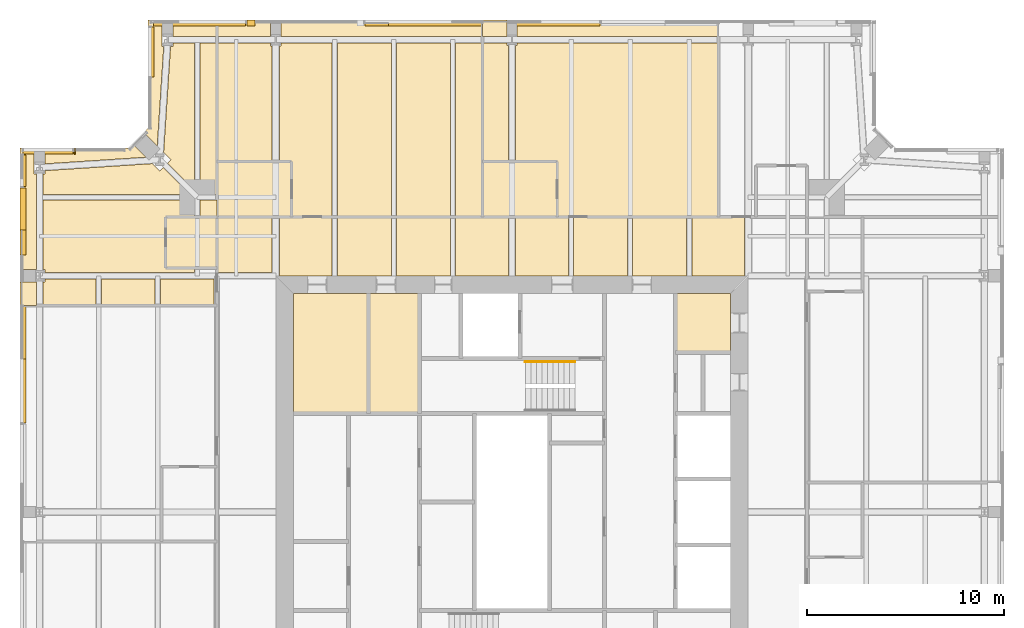
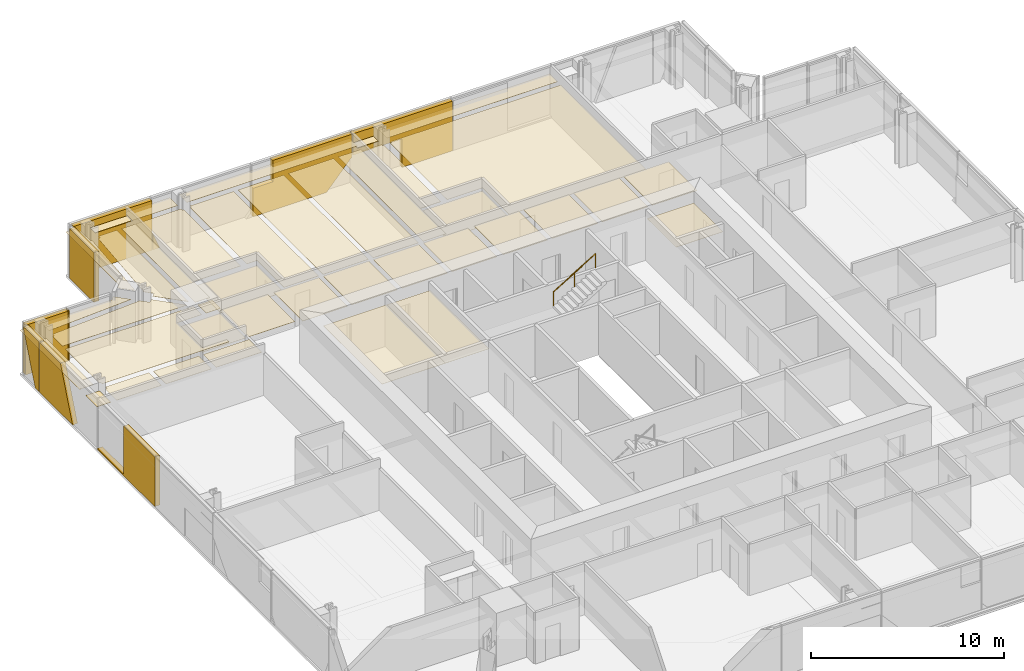
# One storey, part 18 of 20: 49 coverings, 1 railing.
"""IFC4 building model written with IfcOpenShell, lengths in metres."""

import ifcopenshell
import ifcopenshell.guid

model = None  # the IFC model being written
_history = None  # IfcOwnerHistory: only IFC2X3 demands one
_inside = {}  # id of a spatial element -> (the spatial element, [elements in it])
_under = {}  # id of a project, library or spatial element -> (it, [spatial elements below it])
_declared = {}  # id of a project -> (the project, [libraries it declares])
_typed = {}  # id of a type object -> (the type object, [elements of that type])
_made_of = {}  # id of a material, layer set ... -> (it, [elements and type objects made of it])


def new_model(schema):
    """Start an empty IFC model of exactly this schema.

    Asked for "IFC4X3", IfcOpenShell would pick the latest addendum, in which some entities
    have other attributes; the version numbers below select the first issue.
    IFC2X3 requires an IfcOwnerHistory on every rooted entity: one is made here for all.
    """
    global model, _history
    if schema == "IFC4X3":
        model = ifcopenshell.file(schema_version=(4, 3, 0, 0))
    else:
        model = ifcopenshell.file(schema=schema)
    _inside.clear()
    _under.clear()
    _declared.clear()
    _typed.clear()
    _made_of.clear()
    _history = None
    if model.schema == "IFC2X3":
        org = make("IfcOrganization", Name="unknown")
        user = make(
            "IfcPersonAndOrganization",
            ThePerson=make("IfcPerson", FamilyName="unknown"),
            TheOrganization=org,
        )
        app = make(
            "IfcApplication",
            ApplicationDeveloper=org,
            Version="unknown",
            ApplicationFullName="unknown",
            ApplicationIdentifier="unknown",
        )
        _history = make(
            "IfcOwnerHistory",
            OwningUser=user,
            OwningApplication=app,
            ChangeAction="ADDED",
            CreationDate=0,
        )
    return model


def make(cls, **values):
    """One entity of the class cls with the attributes given. An attribute that is None is left unset."""
    return model.create_entity(
        cls, **{name: value for name, value in values.items() if value is not None}
    )


def rooted(cls, **values):
    """An entity with a GlobalId (a new one), such as an element, a storey or a relation."""
    return make(cls, GlobalId=ifcopenshell.guid.new(), OwnerHistory=_history, **values)


def si_unit(unit_type, name, prefix=None):
    """IfcSIUnit, for example si_unit("LENGTHUNIT", "METRE", prefix="MILLI")."""
    return make("IfcSIUnit", UnitType=unit_type, Prefix=prefix, Name=name)


def assignment(units):
    """IfcUnitAssignment: the units of a project."""
    return None if units is None else make("IfcUnitAssignment", Units=units)


def point(xyz):
    """IfcCartesianPoint."""
    return None if xyz is None else make("IfcCartesianPoint", Coordinates=xyz)


def direction(xyz):
    """IfcDirection."""
    return None if xyz is None else make("IfcDirection", DirectionRatios=xyz)


def frame(location, z_axis=None, x_axis=None):
    """IfcAxis2Placement3D, a coordinate frame: its origin and axes. An axis left out is left unset."""
    return make(
        "IfcAxis2Placement3D",
        Location=point(location),
        Axis=direction(z_axis),
        RefDirection=direction(x_axis),
    )


def frame_2d(location, x_axis=None):
    """IfcAxis2Placement2D, a coordinate frame in the plane: its origin and x axis."""
    return make(
        "IfcAxis2Placement2D", Location=point(location), RefDirection=direction(x_axis)
    )


def origin():
    """The frame at (0, 0, 0) with its axes left unset."""
    return frame((0.0, 0.0, 0.0))


def origin_2d():
    """The frame at (0, 0) in the plane with its x axis left unset."""
    return frame_2d((0.0, 0.0))


def place(relative_to, where):
    """IfcLocalPlacement: puts the frame where relative to a parent placement (None: the world)."""
    return make(
        "IfcLocalPlacement", PlacementRelTo=relative_to, RelativePlacement=where
    )


def context(
    kind, dimensions, precision=None, world=None, true_north=None, identifier=None
):
    """IfcGeometricRepresentationContext, for example the 3D "Model" context."""
    return make(
        "IfcGeometricRepresentationContext",
        ContextIdentifier=identifier,
        ContextType=kind,
        CoordinateSpaceDimension=dimensions,
        Precision=precision,
        WorldCoordinateSystem=world,
        TrueNorth=true_north,
    )


def subcontext(parent, identifier, kind, view, scale=None):
    """IfcGeometricRepresentationSubContext, for example "Body" below "Model"."""
    return make(
        "IfcGeometricRepresentationSubContext",
        ContextIdentifier=identifier,
        ContextType=kind,
        ParentContext=parent,
        TargetScale=scale,
        TargetView=view,
    )


def project(units=None, contexts=None):
    """IfcProject with its units and contexts."""
    return rooted(
        "IfcProject",
        Name="project",
        RepresentationContexts=contexts,
        UnitsInContext=assignment(units),
    )


def spatial(cls, under=None, at=None, **own):
    """A site, building, storey or space (cls), placed at a placement, below another one or the project."""
    s = rooted(cls, ObjectPlacement=at, **own)
    if under is not None:
        _under.setdefault(under.id(), (under, []))[1].append(s)
    return s


def polyline(points):
    """IfcPolyline through the points."""
    return make("IfcPolyline", Points=[point(p) for p in points])


def profile(cls, at=None, kind="AREA", **sizes):
    """A parametric profile (cls). Its sizes go by their IFC names, for example OverallWidth=200.0."""
    return make(cls, ProfileType=kind, Position=at, **sizes)


def circle(**sizes):
    """IfcCircleProfileDef."""
    return profile("IfcCircleProfileDef", **sizes)


def outline(outer, holes=None, kind="AREA"):
    """IfcArbitraryClosedProfileDef: a profile drawn as a closed curve; with holes, ...WithVoids."""
    if holes is None:
        return make("IfcArbitraryClosedProfileDef", ProfileType=kind, OuterCurve=outer)
    return make(
        "IfcArbitraryProfileDefWithVoids",
        ProfileType=kind,
        OuterCurve=outer,
        InnerCurves=holes,
    )


def extrude(swept, where, along, depth):
    """IfcExtrudedAreaSolid: the profile swept, set in the frame where, extruded along a direction by depth."""
    return make(
        "IfcExtrudedAreaSolid",
        SweptArea=swept,
        Position=where,
        ExtrudedDirection=direction(along),
        Depth=depth,
    )


def shape(context_of_items, identifier, shape_type, items):
    """IfcShapeRepresentation: the items that make up one representation, for example the "Body"."""
    return make(
        "IfcShapeRepresentation",
        ContextOfItems=context_of_items,
        RepresentationIdentifier=identifier,
        RepresentationType=shape_type,
        Items=items,
    )


def material(Name=None, Category=None):
    """IfcMaterial."""
    return make("IfcMaterial", Name=Name, Category=Category)


def layer(
    of_material, thickness, ventilated=None, Name=None, Category=None, Priority=None
):
    """IfcMaterialLayer: one layer of a wall or slab, of a material (None: an air gap)."""
    return make(
        "IfcMaterialLayer",
        Material=of_material,
        LayerThickness=thickness,
        IsVentilated=ventilated,
        Name=Name,
        Category=Category,
        Priority=Priority,
    )


def layer_set(layers, Name=None):
    """IfcMaterialLayerSet."""
    return make("IfcMaterialLayerSet", MaterialLayers=layers, LayerSetName=Name)


def made_of(thing, what):
    """Note that an element or type object is made of a material, layer set ...; save() writes the relation."""
    if what is not None:
        _made_of.setdefault(what.id(), (what, []))[1].append(thing)
    return thing


def type_object(cls, material=None, **own):
    """A type object (cls), such as IfcWallType, which elements share."""
    return made_of(rooted(cls, **own), material)


def element(
    cls,
    number,
    at=None,
    inside=None,
    cuts=None,
    type_object=None,
    material=None,
    context=None,
    identifier="Body",
    shape_type=None,
    held_by="IfcProductDefinitionShape",
    body=None,
    shapes=None,
    **own,
):
    """One element of the class cls, such as IfcWall. Its Tag is "e" and its number.

    at: its placement. inside: the storey or other place that contains it. cuts: it is an
    opening in that element (IfcRelVoidsElement). A single representation is given by context,
    identifier, shape_type and body (its items); several are given by shapes. held_by: the class
    of the entity that holds the representations. save() writes the other relations.
    """
    e = rooted(cls, Tag="e%d" % number, ObjectPlacement=at, **own)
    if body is not None:
        shapes = [shape(context, identifier, shape_type, body)]
    if shapes is not None:
        e.Representation = make(held_by, Representations=shapes)
    if inside is not None:
        _inside.setdefault(inside.id(), (inside, []))[1].append(e)
    if cuts is not None:
        rooted(
            "IfcRelVoidsElement", RelatingBuildingElement=cuts, RelatedOpeningElement=e
        )
    if type_object is not None:
        _typed.setdefault(type_object.id(), (type_object, []))[1].append(e)
    return made_of(e, material)


def aggregate(whole, parts):
    """IfcRelAggregates: a whole, such as a stair, and the parts it consists of."""
    return rooted("IfcRelAggregates", RelatingObject=whole, RelatedObjects=parts)


def save(model, path):
    """Write the relations noted so far, then the file.

    IfcRelAggregates (storeys below a building ...), IfcRelContainedInSpatialStructure (elements
    in a storey), IfcRelDefinesByType, IfcRelAssociatesMaterial and IfcRelDeclares: one each for
    every whole, place, type object, material and project.
    """
    for whole, parts in _under.values():
        aggregate(whole, parts)
    for where, things in _inside.values():
        rooted(
            "IfcRelContainedInSpatialStructure",
            RelatedElements=things,
            RelatingStructure=where,
        )
    for kind, things in _typed.values():
        rooted("IfcRelDefinesByType", RelatedObjects=things, RelatingType=kind)
    for what, things in _made_of.values():
        rooted("IfcRelAssociatesMaterial", RelatedObjects=things, RelatingMaterial=what)
    for by, libraries in _declared.values():
        rooted("IfcRelDeclares", RelatingContext=by, RelatedDefinitions=libraries)
    model.write(path)


model = new_model("IFC4")

# Units and contexts
model_context = context("Model", 3, precision=1e-05, world=origin(), true_north=direction((0.0, 1.0)))
body_context = subcontext(model_context, "Body", "Model", "MODEL_VIEW")
ifc_project = project(units=[si_unit("LENGTHUNIT", "METRE"), si_unit("AREAUNIT", "SQUARE_METRE"), si_unit("VOLUMEUNIT", "CUBIC_METRE"), si_unit("PLANEANGLEUNIT", "RADIAN"), si_unit("MASSUNIT", "GRAM", prefix="KILO")], contexts=[model_context])

# Site, building, storey
site_placement = place(None, origin())
site = spatial("IfcSite", under=ifc_project, at=site_placement, CompositionType="ELEMENT")
building_placement = place(site_placement, origin())
building = spatial("IfcBuilding", under=site, at=building_placement, Name="Fenwick Lantern Interchange", CompositionType="ELEMENT")
storey_placement = place(building_placement, frame((0.0, 0.0, 276.39990234375)))
storey = spatial("IfcBuildingStorey", under=building, at=storey_placement, Name="L66", CompositionType="ELEMENT", Elevation=276.39990234375)

# Coverings
ifc_material_1 = material(Name="Granite cladding, warm grey flamed finish, on aluminium carrier frame", Category="masonry")
ifc_layer_1 = layer(ifc_material_1, 0.300048828125)
ifc_layer_set_1 = layer_set([ifc_layer_1], Name="BRACE CASING PANEL 300")
covering_type_1 = type_object("IfcCoveringType", Name="BRACE CASING PANEL 300", PredefinedType="CLADDING", material=ifc_layer_set_1)
covering_1_placement = place(storey_placement, frame((43.39990234375, 49.89990234375, 0.0), z_axis=(0.0, 0.0, 1.0), x_axis=(-1.0, 0.0, 0.0)))
element("IfcCovering", 1, at=covering_1_placement, inside=storey, type_object=covering_type_1, Name="Brace casing 09 bay 03a", PredefinedType="CLADDING", context=body_context, shape_type="SweptSolid", body=[
    extrude(outline(polyline([(13.929931640625, 0.0), (16.93017578125, 0.0), (16.93017578125, 1.8076171875), (19.8701171875, 1.8076171875), (19.8701171875, 3.150146484375), (13.929931640625, 3.150146484375), (13.929931640625, 0.0)])), frame((0.0, 0.2099609375, 0.0), z_axis=(0.0, -1.0, 0.0), x_axis=(1.0, 0.0, 0.0)), (0.0, 0.0, 1.0), 0.300048828125),
])
covering_2_placement = place(storey_placement, frame((43.39990234375, 49.89990234375, 0.0), z_axis=(0.0, 0.0, 1.0), x_axis=(-1.0, 0.0, 0.0)))
element("IfcCovering", 2, at=covering_2_placement, inside=storey, type_object=covering_type_1, Name="Brace casing 09 bay 04a", PredefinedType="CLADDING", context=body_context, shape_type="SweptSolid", body=[
    extrude(outline(polyline([(21.46484375, 0.0), (25.8701171875, 0.0), (25.8701171875, 1.801513671875), (24.67626953125, 1.801513671875), (24.67626953125, 3.150146484375), (19.929931640625, 3.150146484375), (19.929931640625, 1.739501953125), (21.46484375, 0.0)])), frame((0.0, 0.2099609375, 0.0), z_axis=(0.0, -1.0, 0.0), x_axis=(1.0, 0.0, 0.0)), (0.0, 0.0, 1.0), 0.300048828125),
])
covering_3_placement = place(storey_placement, frame((43.39990234375, 49.89990234375, 0.0), z_axis=(0.0, 0.0, 1.0), x_axis=(-1.0, 0.0, 0.0)))
element("IfcCovering", 3, at=covering_3_placement, inside=storey, type_object=covering_type_1, Name="Brace casing 09 bay 05b", PredefinedType="CLADDING", context=body_context, shape_type="SweptSolid", body=[
    extrude(outline(polyline([(31.453369140625, 0.0), (31.8701171875, 0.0), (31.8701171875, 1.030029296875), (31.453369140625, 0.0)])), frame((0.0, 0.2099609375, 0.0), z_axis=(0.0, -1.0, 0.0), x_axis=(1.0, 0.0, 0.0)), (0.0, 0.0, 1.0), 0.300048828125),
])
covering_4_placement = place(storey_placement, frame((43.39990234375, 49.89990234375, 0.0), z_axis=(0.0, 0.0, 1.0), x_axis=(-1.0, 0.0, 0.0)))
element("IfcCovering", 4, at=covering_4_placement, inside=storey, type_object=covering_type_1, Name="Brace casing 09 bay 06a", PredefinedType="CLADDING", context=body_context, shape_type="SweptSolid", body=[
    extrude(outline(polyline([(31.929931640625, 0.0), (35.336669921875, 0.0), (36.610595703125, 3.150146484375), (31.929931640625, 3.150146484375), (31.929931640625, 0.0)])), frame((0.0, 0.2099609375, 0.0), z_axis=(0.0, -1.0, 0.0), x_axis=(1.0, 0.0, 0.0)), (0.0, 0.0, 1.0), 0.300048828125),
])
covering_5_placement = place(storey_placement, frame((6.60009765625, 49.89990234375, 0.0), z_axis=(0.0, 0.0, 1.0), x_axis=(0.0, -1.0, 0.0)))
element("IfcCovering", 5, at=covering_5_placement, inside=storey, type_object=covering_type_1, Name="Brace casing 10 bay 00a", PredefinedType="CLADDING", context=body_context, shape_type="SweptSolid", body=[
    extrude(outline(polyline([(0.260009765625, 0.0), (2.790771484375, 0.0), (2.790771484375, 3.150146484375), (0.260009765625, 3.150146484375), (0.260009765625, 0.0)])), frame((0.0, 0.2099609375, 0.0), z_axis=(0.0, -1.0, 0.0), x_axis=(1.0, 0.0, 0.0)), (0.0, 0.0, 1.0), 0.300048828125),
])
covering_6_placement = place(storey_placement, frame((5.54150390625, 43.39990234375, 0.0), z_axis=(0.0, 0.0, 1.0), x_axis=(-1.0, 0.0, 0.0)))
element("IfcCovering", 6, at=covering_6_placement, inside=storey, type_object=covering_type_1, Name="Brace casing 12 bay 00a", PredefinedType="CLADDING", context=body_context, shape_type="SweptSolid", body=[
    extrude(outline(polyline([(2.741455078125, 0.0), (2.790771484375, 0.0), (2.790771484375, 3.150146484375), (2.741455078125, 3.150146484375), (2.741455078125, 0.0)])), frame((0.0, 0.2099609375, 0.0), z_axis=(0.0, -1.0, 0.0), x_axis=(1.0, 0.0, 0.0)), (0.0, 0.0, 1.0), 0.300048828125),
])
covering_7_placement = place(storey_placement, frame((5.54150390625, 43.39990234375, 0.0), z_axis=(0.0, 0.0, 1.0), x_axis=(-1.0, 0.0, 0.0)))
element("IfcCovering", 7, at=covering_7_placement, inside=storey, type_object=covering_type_1, Name="Brace casing 12 bay 01a", PredefinedType="CLADDING", context=body_context, shape_type="SweptSolid", body=[
    extrude(outline(polyline([(2.850830078125, 0.0), (5.38134765625, 0.0), (5.38134765625, 3.150146484375), (2.850830078125, 3.150146484375), (2.850830078125, 0.0)])), frame((0.0, 0.2099609375, 0.0), z_axis=(0.0, -1.0, 0.0), x_axis=(1.0, 0.0, 0.0)), (0.0, 0.0, 1.0), 0.300048828125),
])
covering_8_placement = place(storey_placement, frame((0.10009765625, 43.39990234375, 0.0), z_axis=(0.0, 0.0, 1.0), x_axis=(0.0, -1.0, 0.0)))
element("IfcCovering", 8, at=covering_8_placement, inside=storey, type_object=covering_type_1, Name="Brace casing 13 bay 00a", PredefinedType="CLADDING", context=body_context, shape_type="SweptSolid", body=[
    extrude(outline(polyline([(1.46337890625, 0.0), (1.8701171875, 0.0), (1.8701171875, 3.150146484375), (0.260009765625, 3.150146484375), (0.260009765625, 2.9755859375), (1.46337890625, 0.0)])), frame((0.0, 0.2099609375, 0.0), z_axis=(0.0, -1.0, 0.0), x_axis=(1.0, 0.0, 0.0)), (0.0, 0.0, 1.0), 0.300048828125),
])
covering_9_placement = place(storey_placement, frame((0.10009765625, 43.39990234375, 0.0), z_axis=(0.0, 0.0, 1.0), x_axis=(0.0, -1.0, 0.0)))
element("IfcCovering", 9, at=covering_9_placement, inside=storey, type_object=covering_type_1, Name="Brace casing 13 bay 01a", PredefinedType="CLADDING", context=body_context, shape_type="SweptSolid", body=[
    extrude(outline(polyline([(1.929931640625, 0.0), (5.346435546875, 0.0), (4.07275390625, 3.150146484375), (1.929931640625, 3.150146484375), (1.929931640625, 0.0)])), frame((0.0, 0.2099609375, 0.0), z_axis=(0.0, -1.0, 0.0), x_axis=(1.0, 0.0, 0.0)), (0.0, 0.0, 1.0), 0.300048828125),
])
covering_10_placement = place(storey_placement, frame((0.10009765625, 43.39990234375, 0.0), z_axis=(0.0, 0.0, 1.0), x_axis=(0.0, -1.0, 0.0)))
element("IfcCovering", 10, at=covering_10_placement, inside=storey, type_object=covering_type_1, Name="Brace casing 13 bay 02a", PredefinedType="CLADDING", context=body_context, shape_type="SweptSolid", body=[
    extrude(outline(polyline([(7.929931640625, 0.0), (13.8701171875, 0.0), (13.8701171875, 3.150146484375), (10.6201171875, 3.150146484375), (10.6201171875, 0.097412109375), (7.929931640625, 0.097412109375), (7.929931640625, 0.0)])), frame((0.0, 0.2099609375, 0.0), z_axis=(0.0, -1.0, 0.0), x_axis=(1.0, 0.0, 0.0)), (0.0, 0.0, 1.0), 0.300048828125),
])

# Railing
ifc_material_2 = material(Name="Stainless steel handrail", Category="steel")
railing_type = type_object("IfcRailingType", Name="HANDRAIL 900", PredefinedType="HANDRAIL", material=ifc_material_2)
railing_placement = place(storey_placement, frame((25.679931640625, 32.6259765625, 1.8701171875)))
element("IfcRailing", 11, at=railing_placement, inside=storey, type_object=railing_type, Name="L66/STAIR/ST2/HR2", PredefinedType="HANDRAIL", context=body_context, shape_type="SweptSolid", body=[
    extrude(circle(Radius=0.02392578125, at=origin_2d()), frame((0.0, 0.0, 0.8759765625), z_axis=(0.85478489116, 0.0, 0.518982456201), x_axis=(0.0, 1.0, 0.0)), (0.0, 0.0, 1.0), 2.9482421875),
    extrude(circle(Radius=0.02099609375, at=origin_2d()), origin(), (0.0, 0.0, 1.0), 0.851806640625),
    extrude(circle(Radius=0.02099609375, at=origin_2d()), frame((1.260009765625, 0.0, 0.76513671875)), (0.0, 0.0, 1.0), 0.851806640625),
    extrude(circle(Radius=0.02099609375, at=origin_2d()), frame((2.52001953125, 0.0, 1.530029296875)), (0.0, 0.0, 1.0), 0.851806640625),
])

# Coverings
ifc_material_3 = material(Name="Moisture resistant gypsum board on suspended frame, painted")
ifc_layer_2 = layer(ifc_material_3, 0.014892578125)
ifc_layer_set_2 = layer_set([ifc_layer_2], Name="MOISTURE RESISTANT CEILING 15")
covering_type_2 = type_object("IfcCoveringType", Name="MOISTURE RESISTANT CEILING 15", PredefinedType="CEILING", material=ifc_layer_set_2)
covering_11_placement = place(storey_placement, frame((0.0, 0.0, 2.60009765625)))
element("IfcCovering", 12, at=covering_11_placement, inside=storey, type_object=covering_type_2, Name="Men's WC ceiling", PredefinedType="CEILING", context=body_context, shape_type="SweptSolid", body=[
    extrude(outline(polyline([(20.300048828125, 36.10009765625), (17.699951171875, 36.10009765625), (17.699951171875, 30.0), (20.300048828125, 30.0), (20.300048828125, 36.10009765625)])), origin(), (0.0, 0.0, 1.0), 0.014892578125),
])
covering_12_placement = place(storey_placement, frame((0.0, 0.0, 2.60009765625)))
element("IfcCovering", 13, at=covering_12_placement, inside=storey, type_object=covering_type_2, Name="Women's WC ceiling", PredefinedType="CEILING", context=body_context, shape_type="SweptSolid", body=[
    extrude(outline(polyline([(17.699951171875, 36.10009765625), (13.89990234375, 36.10009765625), (13.89990234375, 30.0), (17.699951171875, 30.0), (17.699951171875, 36.10009765625)])), origin(), (0.0, 0.0, 1.0), 0.014892578125),
])
covering_13_placement = place(storey_placement, frame((0.0, 0.0, 2.60009765625)))
element("IfcCovering", 14, at=covering_13_placement, inside=storey, type_object=covering_type_2, Name="Accessible WC ceiling", PredefinedType="CEILING", context=body_context, shape_type="SweptSolid", body=[
    extrude(outline(polyline([(36.10009765625, 36.10009765625), (33.300048828125, 36.10009765625), (33.300048828125, 33.10009765625), (36.10009765625, 33.10009765625), (36.10009765625, 36.10009765625)])), origin(), (0.0, 0.0, 1.0), 0.014892578125),
])
covering_14_placement = place(storey_placement, frame((0.0, 0.0, 2.400146484375)))
element("IfcCovering", 15, at=covering_14_placement, inside=storey, type_object=covering_type_2, Name="En-suite 6609 ceiling", PredefinedType="CEILING", context=body_context, shape_type="SweptSolid", body=[
    extrude(outline(polyline([(27.300048828125, 42.800048828125), (23.5, 42.800048828125), (23.5, 40.0), (27.300048828125, 40.0), (27.300048828125, 42.800048828125)])), origin(), (0.0, 0.0, 1.0), 0.014892578125),
])
covering_15_placement = place(storey_placement, frame((0.0, 0.0, 2.400146484375)))
element("IfcCovering", 16, at=covering_15_placement, inside=storey, type_object=covering_type_2, Name="En-suite 6610 ceiling", PredefinedType="CEILING", context=body_context, shape_type="SweptSolid", body=[
    extrude(outline(polyline([(13.800048828125, 42.800048828125), (10.0, 42.800048828125), (10.0, 40.0), (13.800048828125, 40.0), (13.800048828125, 42.800048828125)])), origin(), (0.0, 0.0, 1.0), 0.014892578125),
])
covering_16_placement = place(storey_placement, frame((0.0, 0.0, 2.400146484375)))
element("IfcCovering", 17, at=covering_16_placement, inside=storey, type_object=covering_type_2, Name="En-suite 6611 ceiling", PredefinedType="CEILING", context=body_context, shape_type="SweptSolid", body=[
    extrude(outline(polyline([(7.39990234375, 40.0), (7.39990234375, 37.39990234375), (10.0, 37.39990234375), (10.0, 40.0), (7.39990234375, 40.0)])), origin(), (0.0, 0.0, 1.0), 0.014892578125),
])
ifc_material_4 = material(Name="Gypsum plasterboard on suspended frame, painted")
ifc_layer_3 = layer(ifc_material_4, 0.014892578125)
ifc_layer_set_3 = layer_set([ifc_layer_3], Name="PLASTERBOARD CEILING 15")
covering_type_3 = type_object("IfcCoveringType", Name="PLASTERBOARD CEILING 15", PredefinedType="CEILING", material=ifc_layer_set_3)
covering_17_placement = place(storey_placement, frame((0.0, 0.0, 2.60009765625)))
element("IfcCovering", 18, at=covering_17_placement, inside=storey, type_object=covering_type_3, Name="Corridor ceiling", PredefinedType="CEILING", context=body_context, shape_type="SweptSolid", body=[
    extrude(outline(polyline([(18.865478515625, 40.0), (16.134521484375, 40.0), (16.134521484375, 37.0), (18.865478515625, 37.0), (18.865478515625, 40.0)])), origin(), (0.0, 0.0, 1.0), 0.014892578125),
])
covering_18_placement = place(storey_placement, frame((0.0, 0.0, 2.60009765625)))
element("IfcCovering", 19, at=covering_18_placement, inside=storey, type_object=covering_type_3, Name="Corridor ceiling", PredefinedType="CEILING", context=body_context, shape_type="SweptSolid", body=[
    extrude(outline(polyline([(21.865478515625, 40.0), (19.134521484375, 40.0), (19.134521484375, 37.0), (21.865478515625, 37.0), (21.865478515625, 40.0)])), origin(), (0.0, 0.0, 1.0), 0.014892578125),
])
covering_19_placement = place(storey_placement, frame((0.0, 0.0, 2.60009765625)))
element("IfcCovering", 20, at=covering_19_placement, inside=storey, type_object=covering_type_3, Name="Corridor ceiling", PredefinedType="CEILING", context=body_context, shape_type="SweptSolid", body=[
    extrude(outline(polyline([(30.865478515625, 40.0), (28.134521484375, 40.0), (28.134521484375, 37.0), (30.865478515625, 37.0), (30.865478515625, 40.0)])), origin(), (0.0, 0.0, 1.0), 0.014892578125),
])
covering_20_placement = place(storey_placement, frame((0.0, 0.0, 2.60009765625)))
element("IfcCovering", 21, at=covering_20_placement, inside=storey, type_object=covering_type_3, Name="Corridor ceiling", PredefinedType="CEILING", context=body_context, shape_type="SweptSolid", body=[
    extrude(outline(polyline([(33.865478515625, 40.0), (31.134521484375, 40.0), (31.134521484375, 37.0), (33.865478515625, 37.0), (33.865478515625, 40.0)])), origin(), (0.0, 0.0, 1.0), 0.014892578125),
])
covering_21_placement = place(storey_placement, frame((0.0, 0.0, 2.60009765625)))
element("IfcCovering", 22, at=covering_21_placement, inside=storey, type_object=covering_type_3, Name="Corridor ceiling", PredefinedType="CEILING", context=body_context, shape_type="SweptSolid", body=[
    extrude(outline(polyline([(15.865478515625, 40.0), (13.183837890625, 40.0), (13.183837890625, 37.0), (15.865478515625, 37.0), (15.865478515625, 40.0)])), origin(), (0.0, 0.0, 1.0), 0.014892578125),
])
covering_22_placement = place(storey_placement, frame((0.0, 0.0, 2.60009765625)))
element("IfcCovering", 23, at=covering_22_placement, inside=storey, type_object=covering_type_3, Name="Corridor ceiling", PredefinedType="CEILING", context=body_context, shape_type="SweptSolid", body=[
    extrude(outline(polyline([(24.816162109375, 40.0), (22.134521484375, 40.0), (22.134521484375, 37.0), (24.816162109375, 37.0), (24.816162109375, 40.0)])), origin(), (0.0, 0.0, 1.0), 0.014892578125),
])
covering_23_placement = place(storey_placement, frame((0.0, 0.0, 2.60009765625)))
element("IfcCovering", 24, at=covering_23_placement, inside=storey, type_object=covering_type_3, Name="Corridor ceiling", PredefinedType="CEILING", context=body_context, shape_type="SweptSolid", body=[
    extrude(outline(polyline([(27.865478515625, 40.0), (25.183837890625, 40.0), (25.183837890625, 37.0), (27.865478515625, 37.0), (27.865478515625, 40.0)])), origin(), (0.0, 0.0, 1.0), 0.014892578125),
])
covering_24_placement = place(storey_placement, frame((0.0, 0.0, 2.60009765625)))
element("IfcCovering", 25, at=covering_24_placement, inside=storey, type_object=covering_type_3, Name="Corridor ceiling", PredefinedType="CEILING", context=body_context, shape_type="SweptSolid", body=[
    extrude(outline(polyline([(36.816162109375, 40.0), (34.134521484375, 40.0), (34.134521484375, 37.0), (36.816162109375, 37.0), (36.816162109375, 40.0)])), origin(), (0.0, 0.0, 1.0), 0.014892578125),
])
covering_25_placement = place(storey_placement, frame((0.0, 0.0, 2.60009765625)))
element("IfcCovering", 26, at=covering_25_placement, inside=storey, type_object=covering_type_3, Name="Corridor ceiling", PredefinedType="CEILING", context=body_context, shape_type="SweptSolid", body=[
    extrude(outline(polyline([(12.816162109375, 40.0), (10.0, 40.0), (10.0, 37.166015625), (12.816162109375, 37.166015625), (12.816162109375, 40.0)])), origin(), (0.0, 0.0, 1.0), 0.014892578125),
])
covering_26_placement = place(storey_placement, frame((0.0, 0.0, 2.572998046875)))
element("IfcCovering", 27, at=covering_26_placement, inside=storey, type_object=covering_type_3, Name="Guest suite 6609 ceiling", PredefinedType="CEILING", context=body_context, shape_type="SweptSolid", body=[
    extrude(outline(polyline([(25.26220703125, 48.71240234375), (25.183837890625, 48.71240234375), (25.183837890625, 42.800048828125), (27.300048828125, 42.800048828125), (27.300048828125, 40.0), (35.5, 40.0), (35.5, 48.82763671875), (25.26220703125, 48.82763671875), (25.26220703125, 48.71240234375)])), origin(), (0.0, 0.0, 1.0), 0.014892578125),
])
covering_27_placement = place(storey_placement, frame((0.0, 0.0, 2.572998046875)))
element("IfcCovering", 28, at=covering_27_placement, inside=storey, type_object=covering_type_3, Name="Guest suite 6609 ceiling", PredefinedType="CEILING", context=body_context, shape_type="SweptSolid", body=[
    extrude(outline(polyline([(25.26220703125, 50.0), (25.26220703125, 49.17236328125), (35.5, 49.17236328125), (35.5, 50.0), (25.26220703125, 50.0)])), origin(), (0.0, 0.0, 1.0), 0.014892578125),
])
covering_28_placement = place(storey_placement, frame((0.0, 0.0, 2.572998046875)))
element("IfcCovering", 29, at=covering_28_placement, inside=storey, type_object=covering_type_3, Name="Guest suite 6609 ceiling", PredefinedType="CEILING", context=body_context, shape_type="SweptSolid", body=[
    extrude(outline(polyline([(24.73779296875, 48.71240234375), (24.73779296875, 48.82763671875), (23.5, 48.82763671875), (23.5, 42.800048828125), (24.816162109375, 42.800048828125), (24.816162109375, 48.71240234375), (24.73779296875, 48.71240234375)])), origin(), (0.0, 0.0, 1.0), 0.014892578125),
])
covering_29_placement = place(storey_placement, frame((0.0, 0.0, 2.572998046875)))
element("IfcCovering", 30, at=covering_29_placement, inside=storey, type_object=covering_type_3, Name="Guest suite 6609 ceiling", PredefinedType="CEILING", context=body_context, shape_type="SweptSolid", body=[
    extrude(outline(polyline([(24.73779296875, 49.17236328125), (24.73779296875, 50.0), (23.5, 50.0), (23.5, 49.17236328125), (24.73779296875, 49.17236328125)])), origin(), (0.0, 0.0, 1.0), 0.014892578125),
])
covering_30_placement = place(storey_placement, frame((0.0, 0.0, 2.7001953125)))
element("IfcCovering", 31, at=covering_30_placement, inside=storey, type_object=covering_type_3, Name="Guest suite 6610 ceiling", PredefinedType="CEILING", context=body_context, shape_type="SweptSolid", body=[
    extrude(outline(polyline([(16.134521484375, 40.0), (18.865478515625, 40.0), (18.865478515625, 48.82763671875), (16.134521484375, 48.82763671875), (16.134521484375, 40.0)])), origin(), (0.0, 0.0, 1.0), 0.014892578125),
])
covering_31_placement = place(storey_placement, frame((0.0, 0.0, 2.7001953125)))
element("IfcCovering", 32, at=covering_31_placement, inside=storey, type_object=covering_type_3, Name="Guest suite 6610 ceiling", PredefinedType="CEILING", context=body_context, shape_type="SweptSolid", body=[
    extrude(outline(polyline([(19.134521484375, 40.0), (21.865478515625, 40.0), (21.865478515625, 48.82763671875), (19.134521484375, 48.82763671875), (19.134521484375, 40.0)])), origin(), (0.0, 0.0, 1.0), 0.014892578125),
])
covering_32_placement = place(storey_placement, frame((0.0, 0.0, 2.7001953125)))
element("IfcCovering", 33, at=covering_32_placement, inside=storey, type_object=covering_type_3, Name="Guest suite 6610 ceiling", PredefinedType="CEILING", context=body_context, shape_type="SweptSolid", body=[
    extrude(outline(polyline([(13.27099609375, 48.6845703125), (13.183837890625, 48.6845703125), (13.183837890625, 42.800048828125), (13.800048828125, 42.800048828125), (13.800048828125, 40.0), (15.865478515625, 40.0), (15.865478515625, 48.82763671875), (13.27099609375, 48.82763671875), (13.27099609375, 48.6845703125)])), origin(), (0.0, 0.0, 1.0), 0.014892578125),
])
covering_33_placement = place(storey_placement, frame((0.0, 0.0, 2.7001953125)))
element("IfcCovering", 34, at=covering_33_placement, inside=storey, type_object=covering_type_3, Name="Guest suite 6610 ceiling", PredefinedType="CEILING", context=body_context, shape_type="SweptSolid", body=[
    extrude(outline(polyline([(12.72900390625, 48.6845703125), (12.72900390625, 48.82763671875), (10.0, 48.82763671875), (10.0, 42.800048828125), (12.816162109375, 42.800048828125), (12.816162109375, 48.6845703125), (12.72900390625, 48.6845703125)])), origin(), (0.0, 0.0, 1.0), 0.014892578125),
])
covering_34_placement = place(storey_placement, frame((0.0, 0.0, 2.7001953125)))
element("IfcCovering", 35, at=covering_34_placement, inside=storey, type_object=covering_type_3, Name="Guest suite 6610 ceiling", PredefinedType="CEILING", context=body_context, shape_type="SweptSolid", body=[
    extrude(outline(polyline([(23.5, 40.0), (23.5, 48.82763671875), (22.134521484375, 48.82763671875), (22.134521484375, 40.0), (23.5, 40.0)])), origin(), (0.0, 0.0, 1.0), 0.014892578125),
])
covering_35_placement = place(storey_placement, frame((0.0, 0.0, 2.7001953125)))
element("IfcCovering", 36, at=covering_35_placement, inside=storey, type_object=covering_type_3, Name="Guest suite 6610 ceiling", PredefinedType="CEILING", context=body_context, shape_type="SweptSolid", body=[
    extrude(outline(polyline([(13.27099609375, 50.0), (13.27099609375, 49.17236328125), (23.5, 49.17236328125), (23.5, 50.0), (13.27099609375, 50.0)])), origin(), (0.0, 0.0, 1.0), 0.014892578125),
])
covering_36_placement = place(storey_placement, frame((0.0, 0.0, 2.7001953125)))
element("IfcCovering", 37, at=covering_36_placement, inside=storey, type_object=covering_type_3, Name="Guest suite 6610 ceiling", PredefinedType="CEILING", context=body_context, shape_type="SweptSolid", body=[
    extrude(outline(polyline([(12.72900390625, 49.17236328125), (12.72900390625, 50.0), (10.0, 50.0), (10.0, 49.17236328125), (12.72900390625, 49.17236328125)])), origin(), (0.0, 0.0, 1.0), 0.014892578125),
])
covering_37_placement = place(storey_placement, frame((0.0, 0.0, 2.7001953125)))
element("IfcCovering", 38, at=covering_37_placement, inside=storey, type_object=covering_type_3, Name="Guest suite 6611 ceiling", PredefinedType="CEILING", context=body_context, shape_type="SweptSolid", body=[
    extrude(outline(polyline([(7.39990234375, 40.0), (8.865478515625, 40.0), (8.865478515625, 40.865478515625), (1.17236328125, 40.865478515625), (1.17236328125, 37.3154296875), (1.27099609375, 37.3154296875), (1.27099609375, 37.166015625), (8.865478515625, 37.166015625), (8.865478515625, 37.39990234375), (7.39990234375, 37.39990234375), (7.39990234375, 40.0)])), origin(), (0.0, 0.0, 1.0), 0.014892578125),
])
covering_38_placement = place(storey_placement, frame((0.0, 0.0, 2.7001953125)))
element("IfcCovering", 39, at=covering_38_placement, inside=storey, type_object=covering_type_3, Name="Guest suite 6611 ceiling", PredefinedType="CEILING", context=body_context, shape_type="SweptSolid", body=[
    extrude(outline(polyline([(1.27734375, 42.16552734375), (1.17236328125, 42.16552734375), (1.17236328125, 41.134521484375), (8.648681640625, 41.134521484375), (7.28271484375, 42.500244140625), (7.10009765625, 42.3173828125), (6.715576171875, 42.701904296875), (1.27734375, 42.345458984375), (1.27734375, 42.16552734375)])), origin(), (0.0, 0.0, 1.0), 0.014892578125),
])
covering_39_placement = place(storey_placement, frame((0.0, 0.0, 2.7001953125)))
element("IfcCovering", 40, at=covering_39_placement, inside=storey, type_object=covering_type_3, Name="Guest suite 6611 ceiling", PredefinedType="CEILING", context=body_context, shape_type="SweptSolid", body=[
    extrude(outline(polyline([(7.77734375, 48.66552734375), (7.65087890625, 48.66552734375), (7.298095703125, 43.284423828125), (7.6826171875, 42.89990234375), (7.499755859375, 42.71728515625), (8.865478515625, 41.351318359375), (8.865478515625, 48.82763671875), (7.77734375, 48.82763671875), (7.77734375, 48.66552734375)])), origin(), (0.0, 0.0, 1.0), 0.014892578125),
])
covering_40_placement = place(storey_placement, frame((0.0, 0.0, 2.7001953125)))
element("IfcCovering", 41, at=covering_40_placement, inside=storey, type_object=covering_type_3, Name="Guest suite 6611 ceiling", PredefinedType="CEILING", context=body_context, shape_type="SweptSolid", body=[
    extrude(outline(polyline([(10.0, 41.134521484375), (10.0, 48.82763671875), (9.134521484375, 48.82763671875), (9.134521484375, 41.134521484375), (10.0, 41.134521484375)])), origin(), (0.0, 0.0, 1.0), 0.014892578125),
])
covering_41_placement = place(storey_placement, frame((0.0, 0.0, 2.7001953125)))
element("IfcCovering", 42, at=covering_41_placement, inside=storey, type_object=covering_type_3, Name="Guest suite 6611 ceiling", PredefinedType="CEILING", context=body_context, shape_type="SweptSolid", body=[
    extrude(outline(polyline([(0.0, 37.3154296875), (0.82763671875, 37.3154296875), (0.82763671875, 42.16552734375), (0.72265625, 42.16552734375), (0.72265625, 43.5), (0.0, 43.5), (0.0, 37.3154296875)])), origin(), (0.0, 0.0, 1.0), 0.014892578125),
])
covering_42_placement = place(storey_placement, frame((0.0, 0.0, 2.7001953125)))
element("IfcCovering", 43, at=covering_42_placement, inside=storey, type_object=covering_type_3, Name="Guest suite 6611 ceiling", PredefinedType="CEILING", context=body_context, shape_type="SweptSolid", body=[
    extrude(outline(polyline([(7.30517578125, 48.66552734375), (7.22265625, 48.66552734375), (7.22265625, 50.0), (6.5, 50.0), (6.5, 44.5), (6.291259765625, 44.291259765625), (6.9736328125, 43.60888671875), (7.30517578125, 48.66552734375)])), origin(), (0.0, 0.0, 1.0), 0.014892578125),
])
covering_43_placement = place(storey_placement, frame((0.0, 0.0, 2.7001953125)))
element("IfcCovering", 44, at=covering_43_placement, inside=storey, type_object=covering_type_3, Name="Guest suite 6611 ceiling", PredefinedType="CEILING", context=body_context, shape_type="SweptSolid", body=[
    extrude(outline(polyline([(4.134521484375, 35.5), (6.865478515625, 35.5), (6.865478515625, 36.833984375), (4.134521484375, 36.833984375), (4.134521484375, 35.5)])), origin(), (0.0, 0.0, 1.0), 0.014892578125),
])
covering_44_placement = place(storey_placement, frame((0.0, 0.0, 2.7001953125)))
element("IfcCovering", 45, at=covering_44_placement, inside=storey, type_object=covering_type_3, Name="Guest suite 6611 ceiling", PredefinedType="CEILING", context=body_context, shape_type="SweptSolid", body=[
    extrude(outline(polyline([(7.134521484375, 35.5), (9.865478515625, 35.5), (9.865478515625, 36.833984375), (7.134521484375, 36.833984375), (7.134521484375, 35.5)])), origin(), (0.0, 0.0, 1.0), 0.014892578125),
])
covering_45_placement = place(storey_placement, frame((0.0, 0.0, 2.7001953125)))
element("IfcCovering", 46, at=covering_45_placement, inside=storey, type_object=covering_type_3, Name="Guest suite 6611 ceiling", PredefinedType="CEILING", context=body_context, shape_type="SweptSolid", body=[
    extrude(outline(polyline([(1.17236328125, 35.5), (3.865478515625, 35.5), (3.865478515625, 36.833984375), (1.27099609375, 36.833984375), (1.27099609375, 36.6845703125), (1.17236328125, 36.6845703125), (1.17236328125, 35.5)])), origin(), (0.0, 0.0, 1.0), 0.014892578125),
])
covering_46_placement = place(storey_placement, frame((0.0, 0.0, 2.7001953125)))
element("IfcCovering", 47, at=covering_46_placement, inside=storey, type_object=covering_type_3, Name="Guest suite 6611 ceiling", PredefinedType="CEILING", context=body_context, shape_type="SweptSolid", body=[
    extrude(outline(polyline([(1.27734375, 43.5), (1.27734375, 42.69091796875), (6.39111328125, 43.0263671875), (5.708740234375, 43.708740234375), (5.5, 43.5), (1.27734375, 43.5)])), origin(), (0.0, 0.0, 1.0), 0.014892578125),
])
covering_47_placement = place(storey_placement, frame((0.0, 0.0, 2.7001953125)))
element("IfcCovering", 48, at=covering_47_placement, inside=storey, type_object=covering_type_3, Name="Guest suite 6611 ceiling", PredefinedType="CEILING", context=body_context, shape_type="SweptSolid", body=[
    extrude(outline(polyline([(7.77734375, 50.0), (7.77734375, 49.17236328125), (10.0, 49.17236328125), (10.0, 50.0), (7.77734375, 50.0)])), origin(), (0.0, 0.0, 1.0), 0.014892578125),
])
covering_48_placement = place(storey_placement, frame((0.0, 0.0, 2.7001953125)))
element("IfcCovering", 49, at=covering_48_placement, inside=storey, type_object=covering_type_3, Name="Guest suite 6611 ceiling", PredefinedType="CEILING", context=body_context, shape_type="SweptSolid", body=[
    extrude(outline(polyline([(0.0, 35.5), (0.82763671875, 35.5), (0.82763671875, 36.6845703125), (0.0, 36.6845703125), (0.0, 35.5)])), origin(), (0.0, 0.0, 1.0), 0.014892578125),
])
covering_49_placement = place(storey_placement, frame((0.0, 0.0, 2.7001953125)))
element("IfcCovering", 50, at=covering_49_placement, inside=storey, type_object=covering_type_3, Name="Guest suite 6611 ceiling", PredefinedType="CEILING", context=body_context, shape_type="SweptSolid", body=[
    extrude(outline(polyline([(10.0, 40.0), (10.0, 40.865478515625), (9.134521484375, 40.865478515625), (9.134521484375, 40.0), (10.0, 40.0)])), origin(), (0.0, 0.0, 1.0), 0.014892578125),
])

save(model, "model.ifc")
